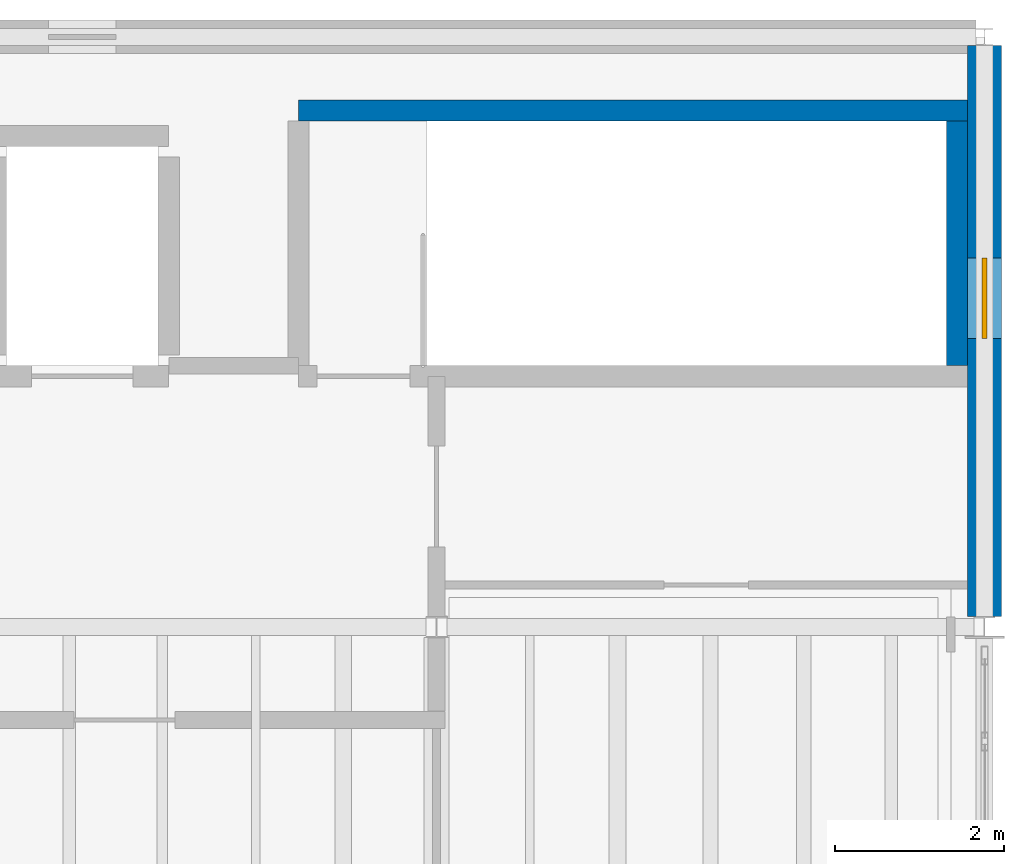
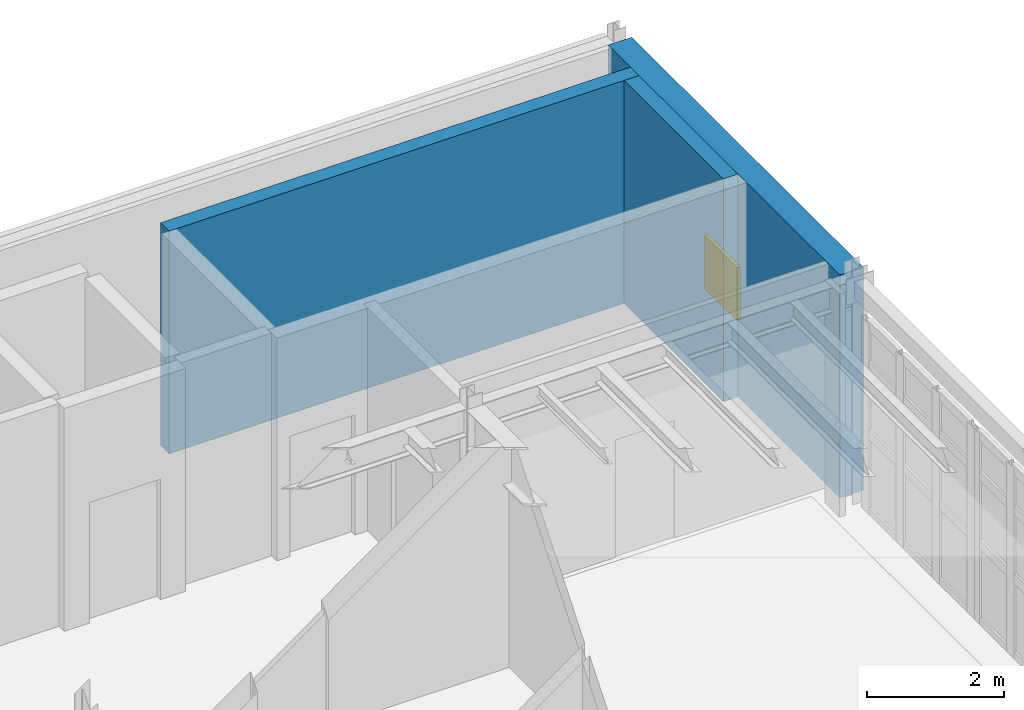
# One storey, part 7 of 8: 3 walls, 1 window, 1 opening.
"""IFC4 building model written with IfcOpenShell, lengths in metres."""

from ifc_helpers import new_model, si_unit, direction, frame, frame_2d, origin, place, context, subcontext, project, spatial, rectangle, extrude, material, layer, layer_set, type_object, element, fill, save


model = new_model("IFC4")

# Units and contexts
model_context = context("Model", 3, precision=1e-05, world=origin(), true_north=direction((0.0, 1.0)))
body_context = subcontext(model_context, "Body", "Model", "MODEL_VIEW")
ifc_project = project(units=[si_unit("LENGTHUNIT", "METRE"), si_unit("AREAUNIT", "SQUARE_METRE"), si_unit("VOLUMEUNIT", "CUBIC_METRE"), si_unit("PLANEANGLEUNIT", "RADIAN"), si_unit("MASSUNIT", "GRAM", prefix="KILO"), si_unit("THERMODYNAMICTEMPERATUREUNIT", "KELVIN"), si_unit("POWERUNIT", "WATT")], contexts=[model_context])

# Site, building, storey
site_placement = place(None, origin())
site = spatial("IfcSite", under=ifc_project, at=site_placement, CompositionType="ELEMENT")
building_placement = place(site_placement, origin())
building = spatial("IfcBuilding", under=site, at=building_placement, Name="Zhenchuan Central Fire Station", CompositionType="ELEMENT")
storey_placement = place(building_placement, frame((0.0, 0.0, 22.64990234375)))
storey = spatial("IfcBuildingStorey", under=building, at=storey_placement, Name="L06", CompositionType="ELEMENT", Elevation=22.64990234375)

# Wall, opening, window
ifc_material_1 = material(Name="Concrete C40/50", Category="concrete")
ifc_layer_1 = layer(ifc_material_1, 0.39990234375, Name="Concrete C40/50", Category="concrete")
ifc_layer_set_1 = layer_set([ifc_layer_1], Name="Concrete C40/50")
wall_type_1 = type_object("IfcWallType", Name="EW-RC400", PredefinedType="SHEAR", material=ifc_layer_set_1)
wall_1_placement = place(storey_placement, frame((161.0, 49.625, 0.0), z_axis=(0.0, 0.0, 1.0), x_axis=(0.0, 1.0, 0.0)))
wall_1 = element("IfcWall", 1, at=wall_1_placement, inside=storey, type_object=wall_type_1, Name="EW-L06-V6E-1", PredefinedType="SHEAR", context=body_context, shape_type="SweptSolid", body=[
    extrude(rectangle(XDim=6.77490234375, YDim=0.39990234375, at=frame_2d((3.387451171875, 0.0))), origin(), (0.0, 0.0, 1.0), 3.97998046875),
])
opening_placement = place(wall_1_placement, frame((3.300048828125, 0.0, 1.10009765625)))
opening = element("IfcOpeningElement", 2, at=opening_placement, cuts=wall_1, Name="Opening W-04", PredefinedType="OPENING", context=body_context, shape_type="SweptSolid", body=[
    extrude(rectangle(XDim=0.949951171875, YDim=0.949951171875, at=frame_2d((0.47509765625, 0.47509765625))), frame((0.0, 0.2099609375, 0.0), z_axis=(0.0, -1.0, 0.0), x_axis=(1.0, 0.0, 0.0)), (0.0, 0.0, 1.0), 0.419921875),
])
ifc_material_2 = material(Name="Laminated low-E double glazing in aluminium frame", Category="aluminium")
window_type = type_object("IfcWindowType", Name="WN-04", PartitioningType="SINGLE_PANEL", PredefinedType="WINDOW", material=ifc_material_2)
window_placement = place(opening_placement, origin())
window = element("IfcWindow", 3, at=window_placement, inside=storey, type_object=window_type, Name="Exterior Window 0140", OverallHeight=0.949951171875, OverallWidth=0.949951171875, PartitioningType="SINGLE_PANEL", PredefinedType="WINDOW", context=body_context, shape_type="SweptSolid", body=[
    extrude(rectangle(XDim=0.949951171875, YDim=0.949951171875, at=frame_2d((0.47509765625, 0.47509765625))), frame((0.0, 0.030029296875, 0.0), z_axis=(0.0, -1.0, 0.0), x_axis=(1.0, 0.0, 0.0)), (0.0, 0.0, 1.0), 0.06005859375),
])
fill(opening, window)

# Walls
ifc_layer_2 = layer(ifc_material_1, 0.25, Name="Concrete C40/50", Category="concrete")
ifc_layer_set_2 = layer_set([ifc_layer_2], Name="Concrete C40/50")
wall_type_2 = type_object("IfcWallType", Name="IW-SHR250", PredefinedType="SHEAR", material=ifc_layer_set_2)
wall_2_placement = place(storey_placement, frame((152.864990234375, 55.625, 0.0), z_axis=(0.0, 0.0, 1.0), x_axis=(1.0, 0.0, 0.0)))
element("IfcWall", 4, at=wall_2_placement, inside=storey, type_object=wall_type_2, Name="ST-13 L06 North Core Wall", PredefinedType="SHEAR", context=body_context, shape_type="SweptSolid", body=[
    extrude(rectangle(XDim=7.93505859375, YDim=0.25, at=frame_2d((3.967529296875, 0.0))), origin(), (0.0, 0.0, 1.0), 3.97998046875),
])
wall_3_placement = place(storey_placement, frame((160.675048828125, 52.60009765625, 0.0), z_axis=(0.0, 0.0, 1.0), x_axis=(0.0, 1.0, 0.0)))
element("IfcWall", 5, at=wall_3_placement, inside=storey, type_object=wall_type_2, Name="ST-13 L06 East Core Wall", PredefinedType="SHEAR", context=body_context, shape_type="SweptSolid", body=[
    extrude(rectangle(XDim=2.89990234375, YDim=0.25, at=frame_2d((1.449951171875, 0.0))), origin(), (0.0, 0.0, 1.0), 3.97998046875),
])

save(model, "model.ifc")
